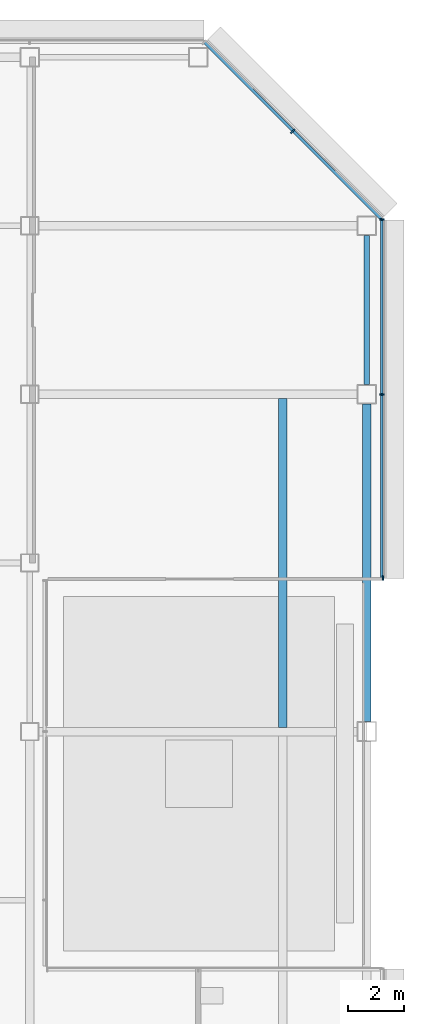
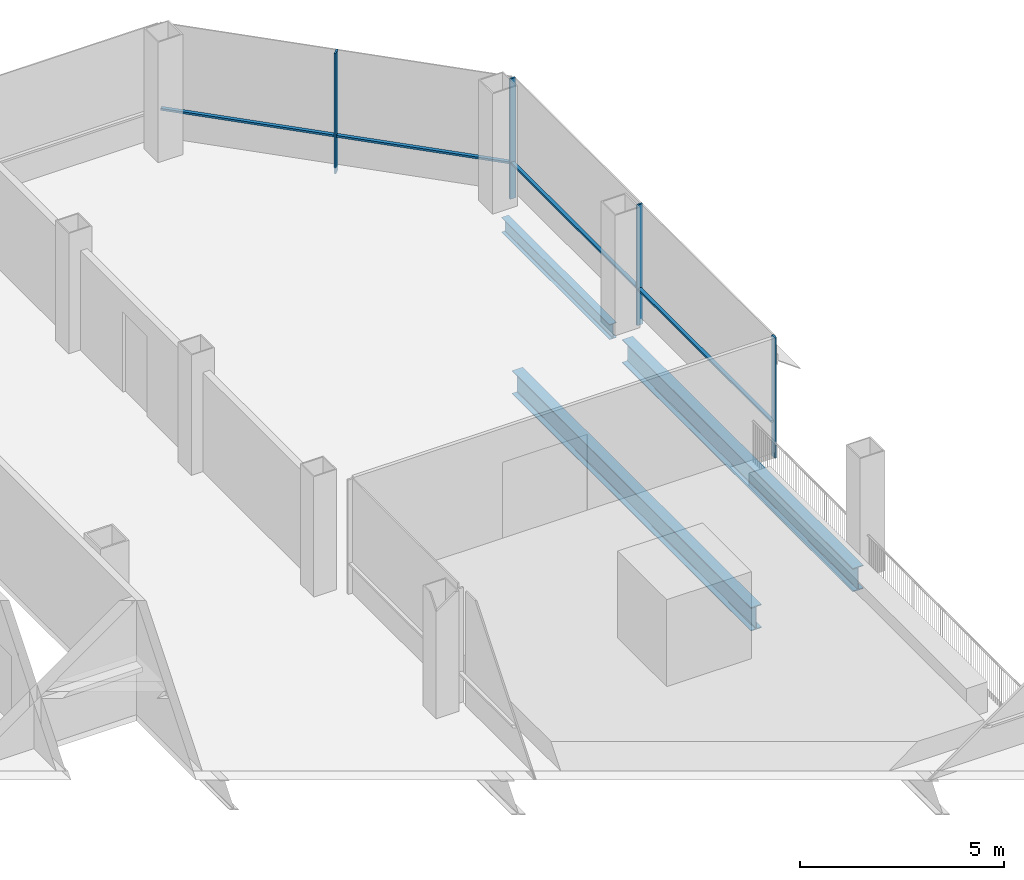
# One storey, part 17 of 27: 6 members, 3 beams, 3 elements without a shape of their own.
"""IFC4 building model written with IfcOpenShell, lengths in metres."""

from ifc_helpers import new_model, si_unit, direction, frame, origin, origin_2d, place, context, subcontext, project, spatial, rectangle, i_section, extrude, material, material_profile, profile_set, type_object, element, aggregate, save


model = new_model("IFC4")

# Units and contexts
model_context = context("Model", 3, precision=1e-05, world=origin(), true_north=direction((0.0, 1.0)))
body_context = subcontext(model_context, "Body", "Model", "MODEL_VIEW")
ifc_project = project(units=[si_unit("LENGTHUNIT", "METRE"), si_unit("AREAUNIT", "SQUARE_METRE"), si_unit("VOLUMEUNIT", "CUBIC_METRE"), si_unit("PLANEANGLEUNIT", "RADIAN"), si_unit("MASSUNIT", "GRAM", prefix="KILO")], contexts=[model_context])

# Site, building, storey
site_placement = place(None, origin())
site = spatial("IfcSite", under=ifc_project, at=site_placement, CompositionType="ELEMENT")
building_placement = place(site_placement, origin())
building = spatial("IfcBuilding", under=site, at=building_placement, Name="Sorahane Residences", CompositionType="ELEMENT")
storey_placement = place(building_placement, frame((0.0, 0.0, 167.199951171875)))
storey = spatial("IfcBuildingStorey", under=building, at=storey_placement, Name="L38", CompositionType="ELEMENT", Elevation=167.199951171875)

# Curtain wall, member
ifc_material_1 = material(Name="Dark low-e glass and black anodised aluminium", Category="aluminium")
curtain_wall_type_1 = type_object("IfcCurtainWallType", Name="Curtain wall CW-1 Typical unitised wall", PredefinedType="NOTDEFINED", material=ifc_material_1)
curtain_wall_1_placement = place(storey_placement, origin())
curtain_wall_1 = element("IfcCurtainWall", 1, at=curtain_wall_1_placement, inside=storey, type_object=curtain_wall_type_1, Name="CW-1 curtain wall L38 S1", PredefinedType="NOTDEFINED")
ifc_material_2 = material(Name="Black anodised aluminium", Category="aluminium")
ifc_material_profile_1 = material_profile(ifc_material_2, rectangle(XDim=0.159912109375, YDim=0.050048828125, at=origin_2d()), Name="Curtain wall mullion CW-1 black anodised aluminium 50x160")
ifc_profile_set_1 = profile_set([ifc_material_profile_1], Name="Black anodised aluminium")
member_type_1 = type_object("IfcMemberType", Name="Curtain wall mullion CW-1 black anodised aluminium 50x160", PredefinedType="MULLION", material=ifc_profile_set_1)
member_1_placement = place(storey_placement, frame((60.574951171875, 29.4599609375, -0.179931640625), z_axis=(0.0, 0.0, 1.0), x_axis=(0.0, -1.0, 0.0)))
member_1 = element("IfcMember", 2, at=member_1_placement, type_object=member_type_1, Name="CW-1 mullion L38 S1.3", PredefinedType="MULLION", context=body_context, shape_type="SweptSolid", body=[
    extrude(rectangle(XDim=0.159912109375, YDim=0.050048828125, at=origin_2d()), origin(), (0.0, 0.0, 1.0), 3.60009765625),
])
aggregate(curtain_wall_1, [member_1])

# Curtain wall, members
curtain_wall_2_placement = place(storey_placement, origin())
curtain_wall_2 = element("IfcCurtainWall", 3, at=curtain_wall_2_placement, inside=storey, type_object=curtain_wall_type_1, Name="CW-1 curtain wall L38 E3", PredefinedType="NOTDEFINED")
member_2_placement = place(storey_placement, frame((60.5400390625, 36.0, -0.179931640625), z_axis=(0.0, 0.0, 1.0), x_axis=(1.0, 0.0, 0.0)))
member_2 = element("IfcMember", 4, at=member_2_placement, type_object=member_type_1, Name="CW-1 mullion L38 E3.2", PredefinedType="MULLION", context=body_context, shape_type="SweptSolid", body=[
    extrude(rectangle(XDim=0.159912109375, YDim=0.050048828125, at=origin_2d()), origin(), (0.0, 0.0, 1.0), 3.60009765625),
])
member_3_placement = place(storey_placement, frame((60.5400390625, 42.2236328125, -0.179931640625), z_axis=(0.0, 0.0, 1.0), x_axis=(1.0, 0.0, 0.0)))
member_3 = element("IfcMember", 5, at=member_3_placement, type_object=member_type_1, Name="CW-1 mullion L38 E3.3", PredefinedType="MULLION", context=body_context, shape_type="SweptSolid", body=[
    extrude(rectangle(XDim=0.159912109375, YDim=0.050048828125, at=origin_2d()), origin(), (0.0, 0.0, 1.0), 3.60009765625),
])

# Curtain wall, member
ifc_material_3 = material(Name="Dark low-e glass and black anodised aluminium", Category="aluminium")
curtain_wall_type_2 = type_object("IfcCurtainWallType", Name="Curtain wall CW-2 Chamfer unitised wall", PredefinedType="NOTDEFINED", material=ifc_material_3)
curtain_wall_3_placement = place(storey_placement, origin())
curtain_wall_3 = element("IfcCurtainWall", 6, at=curtain_wall_3_placement, inside=storey, type_object=curtain_wall_type_2, Name="CW-2 curtain wall L38 NE1", PredefinedType="NOTDEFINED")
ifc_material_4 = material(Name="Black anodised aluminium", Category="aluminium")
ifc_material_profile_2 = material_profile(ifc_material_4, rectangle(XDim=0.199951171875, YDim=0.050048828125, at=origin_2d()), Name="Curtain wall mullion CW-2 black anodised aluminium 50x200")
ifc_profile_set_2 = profile_set([ifc_material_profile_2], Name="Black anodised aluminium")
member_type_2 = type_object("IfcMemberType", Name="Curtain wall mullion CW-2 black anodised aluminium 50x200", PredefinedType="MULLION", material=ifc_profile_set_2)
member_4_placement = place(storey_placement, frame((57.36767578125, 45.36767578125, -0.179931640625), z_axis=(0.0, 0.0, 1.0), x_axis=(0.707106781187, 0.707106781187, 0.0)))
member_4 = element("IfcMember", 7, at=member_4_placement, type_object=member_type_2, Name="CW-2 mullion L38 NE1.2", PredefinedType="MULLION", context=body_context, shape_type="SweptSolid", body=[
    extrude(rectangle(XDim=0.199951171875, YDim=0.050048828125, at=origin_2d()), origin(), (0.0, 0.0, 1.0), 3.60009765625),
])

# Member
ifc_material_5 = material(Name="Black anodised aluminium", Category="aluminium")
ifc_material_profile_3 = material_profile(ifc_material_5, rectangle(XDim=0.10009765625, YDim=0.06005859375, at=origin_2d()), Name="Curtain wall transom CW-1 black anodised aluminium 60x100")
ifc_profile_set_3 = profile_set([ifc_material_profile_3], Name="Black anodised aluminium")
member_type_3 = type_object("IfcMemberType", Name="Curtain wall transom CW-1 black anodised aluminium 60x100", PredefinedType="USERDEFINED", material=ifc_profile_set_3)
member_5_placement = place(storey_placement, frame((60.530029296875, 29.449951171875, 0.900146484375), z_axis=(0.0, 1.0, 0.0), x_axis=(-1.0, 0.0, 0.0)))
member_5 = element("IfcMember", 8, at=member_5_placement, type_object=member_type_3, Name="CW-1 transom L38 E3", ObjectType="TRANSOM", PredefinedType="USERDEFINED", context=body_context, shape_type="SweptSolid", body=[
    extrude(rectangle(XDim=0.10009765625, YDim=0.06005859375, at=origin_2d()), origin(), (0.0, 0.0, 1.0), 12.74853515625),
])

aggregate(curtain_wall_2, [member_2, member_3, member_5])

ifc_material_6 = material(Name="Black anodised aluminium", Category="aluminium")
ifc_material_profile_4 = material_profile(ifc_material_6, rectangle(XDim=0.10009765625, YDim=0.06005859375, at=origin_2d()), Name="Curtain wall transom CW-2 black anodised aluminium 60x100")
ifc_profile_set_4 = profile_set([ifc_material_profile_4], Name="Black anodised aluminium")
member_type_4 = type_object("IfcMemberType", Name="Curtain wall transom CW-2 black anodised aluminium 60x100", PredefinedType="USERDEFINED", material=ifc_profile_set_4)
member_6_placement = place(storey_placement, frame((60.51513671875, 42.234375, 0.900146484375), z_axis=(-0.707106781187, 0.707106781187, 0.0), x_axis=(-0.707106781187, -0.707106781187, 0.0)))
member_6 = element("IfcMember", 9, at=member_6_placement, type_object=member_type_4, Name="CW-2 transom L38 NE1", ObjectType="TRANSOM", PredefinedType="USERDEFINED", context=body_context, shape_type="SweptSolid", body=[
    extrude(rectangle(XDim=0.10009765625, YDim=0.06005859375, at=origin_2d()), origin(), (0.0, 0.0, 1.0), 8.88232421875),
])

aggregate(curtain_wall_3, [member_4, member_6])

# Beams
ifc_material_7 = material(Name="Steel Q355B", Category="steel")
ifc_material_profile_5 = material_profile(ifc_material_7, i_section(OverallWidth=0.199951171875, OverallDepth=0.449951171875, WebThickness=0.009033203125, FlangeThickness=0.013916015625, FilletRadius=0.02001953125, at=origin_2d()), Name="HN 450x200x9x14")
ifc_profile_set_5 = profile_set([ifc_material_profile_5], Name="Steel Q355B")
beam_type_1 = type_object("IfcBeamType", Name="Steel floor beam HN 450x200x9x14 Q355B", PredefinedType="BEAM", material=ifc_profile_set_5)
beam_1_placement = place(storey_placement, frame((60.0, 36.35009765625, -0.405029296875), z_axis=(0.0, 1.0, 0.0), x_axis=(-1.0, 0.0, 0.0)))
element("IfcBeam", 10, at=beam_1_placement, inside=storey, type_object=beam_type_1, Name="Beam L38 065", PredefinedType="BEAM", context=body_context, shape_type="SweptSolid", body=[
    extrude(i_section(OverallWidth=0.199951171875, OverallDepth=0.449951171875, WebThickness=0.009033203125, FlangeThickness=0.013916015625, FilletRadius=0.02001953125, at=origin_2d()), origin(), (0.0, 0.0, 1.0), 5.2998046875),
])
ifc_material_8 = material(Name="Steel Q355B", Category="steel")
ifc_material_profile_6 = material_profile(ifc_material_8, i_section(OverallWidth=0.300048828125, OverallDepth=0.699951171875, WebThickness=0.012939453125, FlangeThickness=0.02392578125, FilletRadius=0.028076171875, at=origin_2d()), Name="HN 700x300x13x24")
ifc_profile_set_6 = profile_set([ifc_material_profile_6], Name="Steel Q355B")
beam_type_2 = type_object("IfcBeamType", Name="Steel floor beam HN 700x300x13x24 Q355B", PredefinedType="BEAM", material=ifc_profile_set_6)
beam_2_placement = place(storey_placement, frame((57.0, 24.150146484375, -0.530029296875), z_axis=(0.0, 1.0, 0.0), x_axis=(-1.0, 0.0, 0.0)))
element("IfcBeam", 11, at=beam_2_placement, inside=storey, type_object=beam_type_2, Name="Beam L38 090", PredefinedType="BEAM", context=body_context, shape_type="SweptSolid", body=[
    extrude(i_section(OverallWidth=0.300048828125, OverallDepth=0.699951171875, WebThickness=0.012939453125, FlangeThickness=0.02392578125, FilletRadius=0.028076171875, at=origin_2d()), origin(), (0.0, 0.0, 1.0), 11.69970703125),
])
beam_3_placement = place(storey_placement, frame((60.0, 24.35009765625, -0.530029296875), z_axis=(0.0, 1.0, 0.0), x_axis=(-1.0, 0.0, 0.0)))
element("IfcBeam", 12, at=beam_3_placement, inside=storey, type_object=beam_type_2, Name="Terrace edge beam", PredefinedType="BEAM", context=body_context, shape_type="SweptSolid", body=[
    extrude(i_section(OverallWidth=0.300048828125, OverallDepth=0.699951171875, WebThickness=0.012939453125, FlangeThickness=0.02392578125, FilletRadius=0.028076171875, at=origin_2d()), origin(), (0.0, 0.0, 1.0), 11.2998046875),
])

save(model, "model.ifc")
